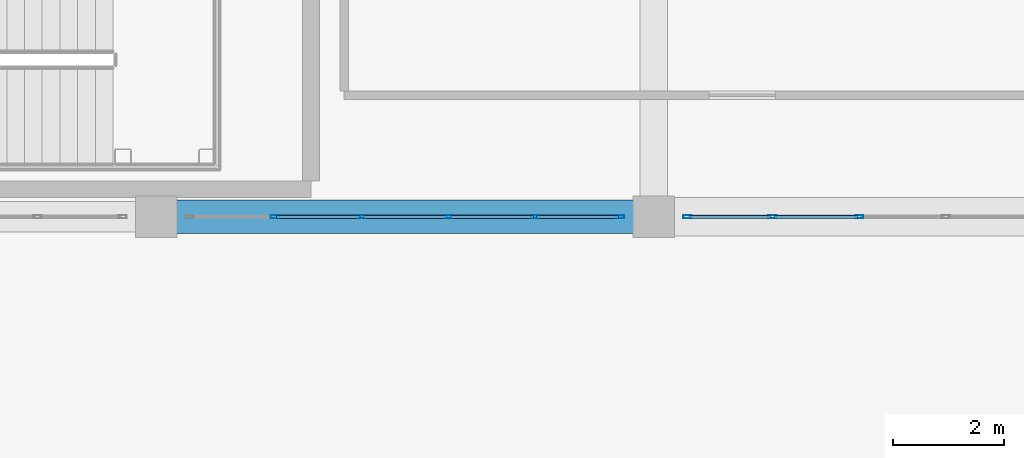
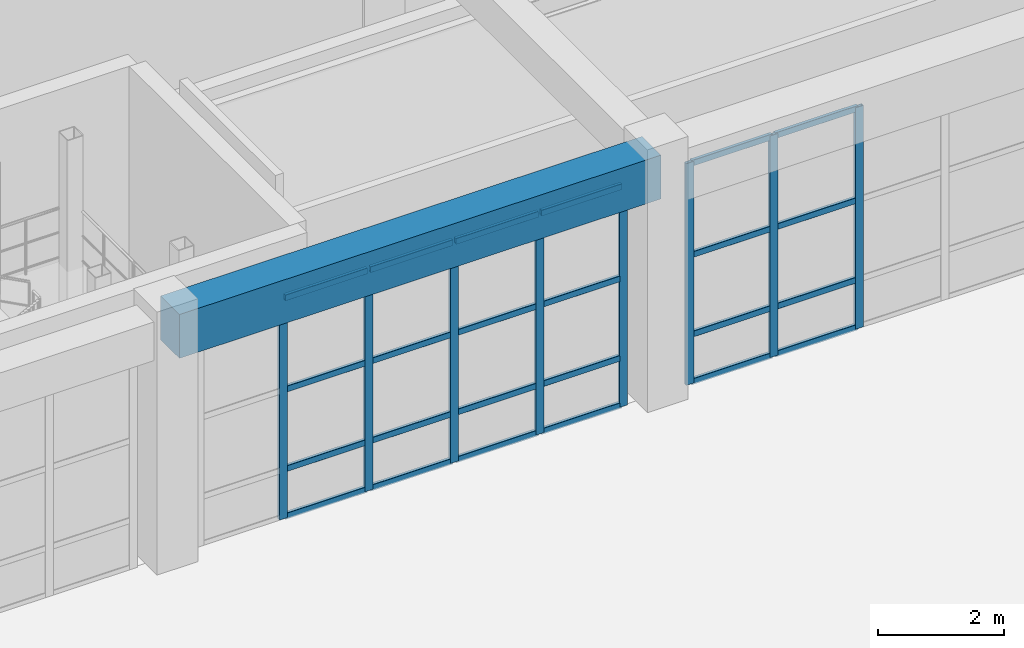
# One storey, part 81 of 128: 32 members, 1 beam, 2 elements without a shape of their own.
"""IFC4 building model written with IfcOpenShell, lengths in metres."""

from ifc_helpers import new_model, si_unit, direction, frame, origin, origin_2d, place, context, subcontext, project, spatial, rectangle, hollow_rectangle, extrude, material, material_profile, profile_set, type_object, element, aggregate, save


model = new_model("IFC4")

# Units and contexts
model_context = context("Model", 3, precision=1e-05, world=origin(), true_north=direction((0.0, 1.0)))
body_context = subcontext(model_context, "Body", "Model", "MODEL_VIEW")
ifc_project = project(units=[si_unit("LENGTHUNIT", "METRE"), si_unit("AREAUNIT", "SQUARE_METRE"), si_unit("VOLUMEUNIT", "CUBIC_METRE"), si_unit("PLANEANGLEUNIT", "RADIAN"), si_unit("MASSUNIT", "GRAM", prefix="KILO")], contexts=[model_context])

# Site, building, storey
site_placement = place(None, origin())
site = spatial("IfcSite", under=ifc_project, at=site_placement, CompositionType="ELEMENT")
building_placement = place(site_placement, origin())
building = spatial("IfcBuilding", under=site, at=building_placement, Name="Miravela Opera House", CompositionType="ELEMENT")
storey_placement = place(building_placement, origin())
storey = spatial("IfcBuildingStorey", under=building, at=storey_placement, Name="L00", CompositionType="ELEMENT", Elevation=0.0)

# Curtain wall, members
ifc_material_1 = material(Name="Anodised architectural bronze aluminium 6063-T6", Category="aluminium")
curtain_wall_type = type_object("IfcCurtainWallType", Name="ARC-CW-05", PredefinedType="NOTDEFINED", material=ifc_material_1)
curtain_wall_1_placement = place(storey_placement, origin())
curtain_wall_1 = element("IfcCurtainWall", 1, at=curtain_wall_1_placement, inside=storey, type_object=curtain_wall_type, Name="Courtyard Arcade Curtain Wall CW-L00-161", PredefinedType="NOTDEFINED")
ifc_material_profile_1 = material_profile(ifc_material_1, hollow_rectangle(XDim=0.06005859375, YDim=0.14990234375, WallThickness=0.00390625, InnerFilletRadius=0.001953125, OuterFilletRadius=0.00390625, at=origin_2d()), Name="CWM-60X150")
ifc_profile_set_1 = profile_set([ifc_material_profile_1])
member_type_1 = type_object("IfcMemberType", Name="ARC-CWM-150", PredefinedType="MULLION", material=ifc_profile_set_1)
member_1_placement = place(storey_placement, frame((128.14794921875, 103.0, 0.0), z_axis=(0.0, 0.0, 1.0), x_axis=(0.0, 1.0, 0.0)))
member_1 = element("IfcMember", 2, at=member_1_placement, type_object=member_type_1, Name="CW-05 mullion 2", PredefinedType="MULLION", context=body_context, shape_type="SweptSolid", body=[
    extrude(hollow_rectangle(XDim=0.06005859375, YDim=0.14990234375, WallThickness=0.00390625, InnerFilletRadius=0.001953125, OuterFilletRadius=0.00390625, at=origin_2d()), origin(), (0.0, 0.0, 1.0), 4.300048828125),
])
member_2_placement = place(storey_placement, frame((129.716064453125, 103.0, 0.0), z_axis=(0.0, 0.0, 1.0), x_axis=(0.0, 1.0, 0.0)))
member_2 = element("IfcMember", 3, at=member_2_placement, type_object=member_type_1, Name="CW-05 mullion 3", PredefinedType="MULLION", context=body_context, shape_type="SweptSolid", body=[
    extrude(hollow_rectangle(XDim=0.06005859375, YDim=0.14990234375, WallThickness=0.00390625, InnerFilletRadius=0.001953125, OuterFilletRadius=0.00390625, at=origin_2d()), origin(), (0.0, 0.0, 1.0), 4.300048828125),
])
member_3_placement = place(storey_placement, frame((131.283935546875, 103.0, 0.0), z_axis=(0.0, 0.0, 1.0), x_axis=(0.0, 1.0, 0.0)))
member_3 = element("IfcMember", 4, at=member_3_placement, type_object=member_type_1, Name="CW-05 mullion 4", PredefinedType="MULLION", context=body_context, shape_type="SweptSolid", body=[
    extrude(hollow_rectangle(XDim=0.06005859375, YDim=0.14990234375, WallThickness=0.00390625, InnerFilletRadius=0.001953125, OuterFilletRadius=0.00390625, at=origin_2d()), origin(), (0.0, 0.0, 1.0), 4.300048828125),
])
member_4_placement = place(storey_placement, frame((132.85205078125, 103.0, 0.0), z_axis=(0.0, 0.0, 1.0), x_axis=(0.0, 1.0, 0.0)))
member_4 = element("IfcMember", 5, at=member_4_placement, type_object=member_type_1, Name="CW-05 mullion 5", PredefinedType="MULLION", context=body_context, shape_type="SweptSolid", body=[
    extrude(hollow_rectangle(XDim=0.06005859375, YDim=0.14990234375, WallThickness=0.00390625, InnerFilletRadius=0.001953125, OuterFilletRadius=0.00390625, at=origin_2d()), origin(), (0.0, 0.0, 1.0), 4.300048828125),
])
member_5_placement = place(storey_placement, frame((134.389892578125, 103.0, 0.0), z_axis=(0.0, 0.0, 1.0), x_axis=(0.0, 1.0, 0.0)))
member_5 = element("IfcMember", 6, at=member_5_placement, type_object=member_type_1, Name="CW-05 mullion 6", PredefinedType="MULLION", context=body_context, shape_type="SweptSolid", body=[
    extrude(hollow_rectangle(XDim=0.06005859375, YDim=0.14990234375, WallThickness=0.00390625, InnerFilletRadius=0.001953125, OuterFilletRadius=0.00390625, at=origin_2d()), origin(), (0.0, 0.0, 1.0), 4.300048828125),
])

curtain_wall_2_placement = place(storey_placement, origin())
curtain_wall_2 = element("IfcCurtainWall", 7, at=curtain_wall_2_placement, inside=storey, type_object=curtain_wall_type, Name="Courtyard Arcade Curtain Wall CW-L00-165", PredefinedType="NOTDEFINED")
member_6_placement = place(storey_placement, frame((135.610107421875, 103.0, 0.0), z_axis=(0.0, 0.0, 1.0), x_axis=(0.0, 1.0, 0.0)))
member_6 = element("IfcMember", 8, at=member_6_placement, type_object=member_type_1, Name="CW-05 mullion 1", PredefinedType="MULLION", context=body_context, shape_type="SweptSolid", body=[
    extrude(hollow_rectangle(XDim=0.06005859375, YDim=0.14990234375, WallThickness=0.00390625, InnerFilletRadius=0.001953125, OuterFilletRadius=0.00390625, at=origin_2d()), origin(), (0.0, 0.0, 1.0), 4.300048828125),
])
member_7_placement = place(storey_placement, frame((137.14794921875, 103.0, 0.0), z_axis=(0.0, 0.0, 1.0), x_axis=(0.0, 1.0, 0.0)))
member_7 = element("IfcMember", 9, at=member_7_placement, type_object=member_type_1, Name="CW-05 mullion 2", PredefinedType="MULLION", context=body_context, shape_type="SweptSolid", body=[
    extrude(hollow_rectangle(XDim=0.06005859375, YDim=0.14990234375, WallThickness=0.00390625, InnerFilletRadius=0.001953125, OuterFilletRadius=0.00390625, at=origin_2d()), origin(), (0.0, 0.0, 1.0), 4.300048828125),
])
member_8_placement = place(storey_placement, frame((138.716064453125, 103.0, 0.0), z_axis=(0.0, 0.0, 1.0), x_axis=(0.0, 1.0, 0.0)))
member_8 = element("IfcMember", 10, at=member_8_placement, type_object=member_type_1, Name="CW-05 mullion 3", PredefinedType="MULLION", context=body_context, shape_type="SweptSolid", body=[
    extrude(hollow_rectangle(XDim=0.06005859375, YDim=0.14990234375, WallThickness=0.00390625, InnerFilletRadius=0.001953125, OuterFilletRadius=0.00390625, at=origin_2d()), origin(), (0.0, 0.0, 1.0), 4.300048828125),
])

# Member
ifc_material_profile_2 = material_profile(ifc_material_1, hollow_rectangle(XDim=0.06005859375, YDim=0.114990234375, WallThickness=0.00390625, InnerFilletRadius=0.001953125, OuterFilletRadius=0.00390625, at=origin_2d()), Name="CWT-60X115")
ifc_profile_set_2 = profile_set([ifc_material_profile_2])
member_type_2 = type_object("IfcMemberType", Name="ARC-CWT-115", PredefinedType="USERDEFINED", material=ifc_profile_set_2)
member_9_placement = place(storey_placement, frame((128.177978515625, 103.0, 0.030029296875), z_axis=(1.0, 0.0, 0.0), x_axis=(0.0, 1.0, 0.0)))
member_9 = element("IfcMember", 11, at=member_9_placement, type_object=member_type_2, Name="CW-05 transom 2.1", ObjectType="TRANSOM", PredefinedType="USERDEFINED", context=body_context, shape_type="SweptSolid", body=[
    extrude(hollow_rectangle(XDim=0.06005859375, YDim=0.114990234375, WallThickness=0.00390625, InnerFilletRadius=0.001953125, OuterFilletRadius=0.00390625, at=origin_2d()), origin(), (0.0, 0.0, 1.0), 1.508056640625),
])

member_10_placement = place(storey_placement, frame((128.177978515625, 103.0, 0.949951171875), z_axis=(1.0, 0.0, 0.0), x_axis=(0.0, 1.0, 0.0)))
member_10 = element("IfcMember", 12, at=member_10_placement, type_object=member_type_2, Name="CW-05 transom 2.2", ObjectType="TRANSOM", PredefinedType="USERDEFINED", context=body_context, shape_type="SweptSolid", body=[
    extrude(hollow_rectangle(XDim=0.06005859375, YDim=0.114990234375, WallThickness=0.00390625, InnerFilletRadius=0.001953125, OuterFilletRadius=0.00390625, at=origin_2d()), origin(), (0.0, 0.0, 1.0), 1.508056640625),
])

member_11_placement = place(storey_placement, frame((128.177978515625, 103.0, 2.493896484375), z_axis=(1.0, 0.0, 0.0), x_axis=(0.0, 1.0, 0.0)))
member_11 = element("IfcMember", 13, at=member_11_placement, type_object=member_type_2, Name="CW-05 transom 2.3", ObjectType="TRANSOM", PredefinedType="USERDEFINED", context=body_context, shape_type="SweptSolid", body=[
    extrude(hollow_rectangle(XDim=0.06005859375, YDim=0.114990234375, WallThickness=0.00390625, InnerFilletRadius=0.001953125, OuterFilletRadius=0.00390625, at=origin_2d()), origin(), (0.0, 0.0, 1.0), 1.508056640625),
])

member_12_placement = place(storey_placement, frame((128.177978515625, 103.0, 4.27001953125), z_axis=(1.0, 0.0, 0.0), x_axis=(0.0, 1.0, 0.0)))
member_12 = element("IfcMember", 14, at=member_12_placement, type_object=member_type_2, Name="CW-05 transom 2.4", ObjectType="TRANSOM", PredefinedType="USERDEFINED", context=body_context, shape_type="SweptSolid", body=[
    extrude(hollow_rectangle(XDim=0.06005859375, YDim=0.114990234375, WallThickness=0.00390625, InnerFilletRadius=0.001953125, OuterFilletRadius=0.00390625, at=origin_2d()), origin(), (0.0, 0.0, 1.0), 1.508056640625),
])

member_13_placement = place(storey_placement, frame((129.74609375, 103.0, 0.030029296875), z_axis=(1.0, 0.0, 0.0), x_axis=(0.0, 1.0, 0.0)))
member_13 = element("IfcMember", 15, at=member_13_placement, type_object=member_type_2, Name="CW-05 transom 3.1", ObjectType="TRANSOM", PredefinedType="USERDEFINED", context=body_context, shape_type="SweptSolid", body=[
    extrude(hollow_rectangle(XDim=0.06005859375, YDim=0.114990234375, WallThickness=0.00390625, InnerFilletRadius=0.001953125, OuterFilletRadius=0.00390625, at=origin_2d()), origin(), (0.0, 0.0, 1.0), 1.5078125),
])

member_14_placement = place(storey_placement, frame((129.74609375, 103.0, 0.949951171875), z_axis=(1.0, 0.0, 0.0), x_axis=(0.0, 1.0, 0.0)))
member_14 = element("IfcMember", 16, at=member_14_placement, type_object=member_type_2, Name="CW-05 transom 3.2", ObjectType="TRANSOM", PredefinedType="USERDEFINED", context=body_context, shape_type="SweptSolid", body=[
    extrude(hollow_rectangle(XDim=0.06005859375, YDim=0.114990234375, WallThickness=0.00390625, InnerFilletRadius=0.001953125, OuterFilletRadius=0.00390625, at=origin_2d()), origin(), (0.0, 0.0, 1.0), 1.5078125),
])

member_15_placement = place(storey_placement, frame((129.74609375, 103.0, 2.493896484375), z_axis=(1.0, 0.0, 0.0), x_axis=(0.0, 1.0, 0.0)))
member_15 = element("IfcMember", 17, at=member_15_placement, type_object=member_type_2, Name="CW-05 transom 3.3", ObjectType="TRANSOM", PredefinedType="USERDEFINED", context=body_context, shape_type="SweptSolid", body=[
    extrude(hollow_rectangle(XDim=0.06005859375, YDim=0.114990234375, WallThickness=0.00390625, InnerFilletRadius=0.001953125, OuterFilletRadius=0.00390625, at=origin_2d()), origin(), (0.0, 0.0, 1.0), 1.5078125),
])

member_16_placement = place(storey_placement, frame((129.74609375, 103.0, 4.27001953125), z_axis=(1.0, 0.0, 0.0), x_axis=(0.0, 1.0, 0.0)))
member_16 = element("IfcMember", 18, at=member_16_placement, type_object=member_type_2, Name="CW-05 transom 3.4", ObjectType="TRANSOM", PredefinedType="USERDEFINED", context=body_context, shape_type="SweptSolid", body=[
    extrude(hollow_rectangle(XDim=0.06005859375, YDim=0.114990234375, WallThickness=0.00390625, InnerFilletRadius=0.001953125, OuterFilletRadius=0.00390625, at=origin_2d()), origin(), (0.0, 0.0, 1.0), 1.5078125),
])

member_17_placement = place(storey_placement, frame((131.31396484375, 103.0, 0.030029296875), z_axis=(1.0, 0.0, 0.0), x_axis=(0.0, 1.0, 0.0)))
member_17 = element("IfcMember", 19, at=member_17_placement, type_object=member_type_2, Name="CW-05 transom 4.1", ObjectType="TRANSOM", PredefinedType="USERDEFINED", context=body_context, shape_type="SweptSolid", body=[
    extrude(hollow_rectangle(XDim=0.06005859375, YDim=0.114990234375, WallThickness=0.00390625, InnerFilletRadius=0.001953125, OuterFilletRadius=0.00390625, at=origin_2d()), origin(), (0.0, 0.0, 1.0), 1.508056640625),
])

member_18_placement = place(storey_placement, frame((131.31396484375, 103.0, 0.949951171875), z_axis=(1.0, 0.0, 0.0), x_axis=(0.0, 1.0, 0.0)))
member_18 = element("IfcMember", 20, at=member_18_placement, type_object=member_type_2, Name="CW-05 transom 4.2", ObjectType="TRANSOM", PredefinedType="USERDEFINED", context=body_context, shape_type="SweptSolid", body=[
    extrude(hollow_rectangle(XDim=0.06005859375, YDim=0.114990234375, WallThickness=0.00390625, InnerFilletRadius=0.001953125, OuterFilletRadius=0.00390625, at=origin_2d()), origin(), (0.0, 0.0, 1.0), 1.508056640625),
])

member_19_placement = place(storey_placement, frame((131.31396484375, 103.0, 2.493896484375), z_axis=(1.0, 0.0, 0.0), x_axis=(0.0, 1.0, 0.0)))
member_19 = element("IfcMember", 21, at=member_19_placement, type_object=member_type_2, Name="CW-05 transom 4.3", ObjectType="TRANSOM", PredefinedType="USERDEFINED", context=body_context, shape_type="SweptSolid", body=[
    extrude(hollow_rectangle(XDim=0.06005859375, YDim=0.114990234375, WallThickness=0.00390625, InnerFilletRadius=0.001953125, OuterFilletRadius=0.00390625, at=origin_2d()), origin(), (0.0, 0.0, 1.0), 1.508056640625),
])

member_20_placement = place(storey_placement, frame((131.31396484375, 103.0, 4.27001953125), z_axis=(1.0, 0.0, 0.0), x_axis=(0.0, 1.0, 0.0)))
member_20 = element("IfcMember", 22, at=member_20_placement, type_object=member_type_2, Name="CW-05 transom 4.4", ObjectType="TRANSOM", PredefinedType="USERDEFINED", context=body_context, shape_type="SweptSolid", body=[
    extrude(hollow_rectangle(XDim=0.06005859375, YDim=0.114990234375, WallThickness=0.00390625, InnerFilletRadius=0.001953125, OuterFilletRadius=0.00390625, at=origin_2d()), origin(), (0.0, 0.0, 1.0), 1.508056640625),
])

member_21_placement = place(storey_placement, frame((132.882080078125, 103.0, 0.030029296875), z_axis=(1.0, 0.0, 0.0), x_axis=(0.0, 1.0, 0.0)))
member_21 = element("IfcMember", 23, at=member_21_placement, type_object=member_type_2, Name="CW-05 transom 5.1", ObjectType="TRANSOM", PredefinedType="USERDEFINED", context=body_context, shape_type="SweptSolid", body=[
    extrude(hollow_rectangle(XDim=0.06005859375, YDim=0.114990234375, WallThickness=0.00390625, InnerFilletRadius=0.001953125, OuterFilletRadius=0.00390625, at=origin_2d()), origin(), (0.0, 0.0, 1.0), 1.47802734375),
])

member_22_placement = place(storey_placement, frame((132.882080078125, 103.0, 0.949951171875), z_axis=(1.0, 0.0, 0.0), x_axis=(0.0, 1.0, 0.0)))
member_22 = element("IfcMember", 24, at=member_22_placement, type_object=member_type_2, Name="CW-05 transom 5.2", ObjectType="TRANSOM", PredefinedType="USERDEFINED", context=body_context, shape_type="SweptSolid", body=[
    extrude(hollow_rectangle(XDim=0.06005859375, YDim=0.114990234375, WallThickness=0.00390625, InnerFilletRadius=0.001953125, OuterFilletRadius=0.00390625, at=origin_2d()), origin(), (0.0, 0.0, 1.0), 1.47802734375),
])

member_23_placement = place(storey_placement, frame((132.882080078125, 103.0, 2.493896484375), z_axis=(1.0, 0.0, 0.0), x_axis=(0.0, 1.0, 0.0)))
member_23 = element("IfcMember", 25, at=member_23_placement, type_object=member_type_2, Name="CW-05 transom 5.3", ObjectType="TRANSOM", PredefinedType="USERDEFINED", context=body_context, shape_type="SweptSolid", body=[
    extrude(hollow_rectangle(XDim=0.06005859375, YDim=0.114990234375, WallThickness=0.00390625, InnerFilletRadius=0.001953125, OuterFilletRadius=0.00390625, at=origin_2d()), origin(), (0.0, 0.0, 1.0), 1.47802734375),
])

member_24_placement = place(storey_placement, frame((132.882080078125, 103.0, 4.27001953125), z_axis=(1.0, 0.0, 0.0), x_axis=(0.0, 1.0, 0.0)))
member_24 = element("IfcMember", 26, at=member_24_placement, type_object=member_type_2, Name="CW-05 transom 5.4", ObjectType="TRANSOM", PredefinedType="USERDEFINED", context=body_context, shape_type="SweptSolid", body=[
    extrude(hollow_rectangle(XDim=0.06005859375, YDim=0.114990234375, WallThickness=0.00390625, InnerFilletRadius=0.001953125, OuterFilletRadius=0.00390625, at=origin_2d()), origin(), (0.0, 0.0, 1.0), 1.47802734375),
])

aggregate(curtain_wall_1, [member_1, member_2, member_3, member_4, member_5, member_9, member_10, member_11, member_12, member_13, member_14, member_15, member_16, member_17, member_18, member_19, member_20, member_21, member_22, member_23, member_24])

member_25_placement = place(storey_placement, frame((135.639892578125, 103.0, 0.030029296875), z_axis=(1.0, 0.0, 0.0), x_axis=(0.0, 1.0, 0.0)))
member_25 = element("IfcMember", 27, at=member_25_placement, type_object=member_type_2, Name="CW-05 transom 1.1", ObjectType="TRANSOM", PredefinedType="USERDEFINED", context=body_context, shape_type="SweptSolid", body=[
    extrude(hollow_rectangle(XDim=0.06005859375, YDim=0.114990234375, WallThickness=0.00390625, InnerFilletRadius=0.001953125, OuterFilletRadius=0.00390625, at=origin_2d()), origin(), (0.0, 0.0, 1.0), 1.47802734375),
])

member_26_placement = place(storey_placement, frame((135.639892578125, 103.0, 0.949951171875), z_axis=(1.0, 0.0, 0.0), x_axis=(0.0, 1.0, 0.0)))
member_26 = element("IfcMember", 28, at=member_26_placement, type_object=member_type_2, Name="CW-05 transom 1.2", ObjectType="TRANSOM", PredefinedType="USERDEFINED", context=body_context, shape_type="SweptSolid", body=[
    extrude(hollow_rectangle(XDim=0.06005859375, YDim=0.114990234375, WallThickness=0.00390625, InnerFilletRadius=0.001953125, OuterFilletRadius=0.00390625, at=origin_2d()), origin(), (0.0, 0.0, 1.0), 1.47802734375),
])

member_27_placement = place(storey_placement, frame((135.639892578125, 103.0, 2.493896484375), z_axis=(1.0, 0.0, 0.0), x_axis=(0.0, 1.0, 0.0)))
member_27 = element("IfcMember", 29, at=member_27_placement, type_object=member_type_2, Name="CW-05 transom 1.3", ObjectType="TRANSOM", PredefinedType="USERDEFINED", context=body_context, shape_type="SweptSolid", body=[
    extrude(hollow_rectangle(XDim=0.06005859375, YDim=0.114990234375, WallThickness=0.00390625, InnerFilletRadius=0.001953125, OuterFilletRadius=0.00390625, at=origin_2d()), origin(), (0.0, 0.0, 1.0), 1.47802734375),
])

member_28_placement = place(storey_placement, frame((135.639892578125, 103.0, 4.27001953125), z_axis=(1.0, 0.0, 0.0), x_axis=(0.0, 1.0, 0.0)))
member_28 = element("IfcMember", 30, at=member_28_placement, type_object=member_type_2, Name="CW-05 transom 1.4", ObjectType="TRANSOM", PredefinedType="USERDEFINED", context=body_context, shape_type="SweptSolid", body=[
    extrude(hollow_rectangle(XDim=0.06005859375, YDim=0.114990234375, WallThickness=0.00390625, InnerFilletRadius=0.001953125, OuterFilletRadius=0.00390625, at=origin_2d()), origin(), (0.0, 0.0, 1.0), 1.47802734375),
])

member_29_placement = place(storey_placement, frame((137.177978515625, 103.0, 0.030029296875), z_axis=(1.0, 0.0, 0.0), x_axis=(0.0, 1.0, 0.0)))
member_29 = element("IfcMember", 31, at=member_29_placement, type_object=member_type_2, Name="CW-05 transom 2.1", ObjectType="TRANSOM", PredefinedType="USERDEFINED", context=body_context, shape_type="SweptSolid", body=[
    extrude(hollow_rectangle(XDim=0.06005859375, YDim=0.114990234375, WallThickness=0.00390625, InnerFilletRadius=0.001953125, OuterFilletRadius=0.00390625, at=origin_2d()), origin(), (0.0, 0.0, 1.0), 1.508056640625),
])

member_30_placement = place(storey_placement, frame((137.177978515625, 103.0, 0.949951171875), z_axis=(1.0, 0.0, 0.0), x_axis=(0.0, 1.0, 0.0)))
member_30 = element("IfcMember", 32, at=member_30_placement, type_object=member_type_2, Name="CW-05 transom 2.2", ObjectType="TRANSOM", PredefinedType="USERDEFINED", context=body_context, shape_type="SweptSolid", body=[
    extrude(hollow_rectangle(XDim=0.06005859375, YDim=0.114990234375, WallThickness=0.00390625, InnerFilletRadius=0.001953125, OuterFilletRadius=0.00390625, at=origin_2d()), origin(), (0.0, 0.0, 1.0), 1.508056640625),
])

member_31_placement = place(storey_placement, frame((137.177978515625, 103.0, 2.493896484375), z_axis=(1.0, 0.0, 0.0), x_axis=(0.0, 1.0, 0.0)))
member_31 = element("IfcMember", 33, at=member_31_placement, type_object=member_type_2, Name="CW-05 transom 2.3", ObjectType="TRANSOM", PredefinedType="USERDEFINED", context=body_context, shape_type="SweptSolid", body=[
    extrude(hollow_rectangle(XDim=0.06005859375, YDim=0.114990234375, WallThickness=0.00390625, InnerFilletRadius=0.001953125, OuterFilletRadius=0.00390625, at=origin_2d()), origin(), (0.0, 0.0, 1.0), 1.508056640625),
])

member_32_placement = place(storey_placement, frame((137.177978515625, 103.0, 4.27001953125), z_axis=(1.0, 0.0, 0.0), x_axis=(0.0, 1.0, 0.0)))
member_32 = element("IfcMember", 34, at=member_32_placement, type_object=member_type_2, Name="CW-05 transom 2.4", ObjectType="TRANSOM", PredefinedType="USERDEFINED", context=body_context, shape_type="SweptSolid", body=[
    extrude(hollow_rectangle(XDim=0.06005859375, YDim=0.114990234375, WallThickness=0.00390625, InnerFilletRadius=0.001953125, OuterFilletRadius=0.00390625, at=origin_2d()), origin(), (0.0, 0.0, 1.0), 1.508056640625),
])

aggregate(curtain_wall_2, [member_6, member_7, member_8, member_25, member_26, member_27, member_28, member_29, member_30, member_31, member_32])

# Beam
ifc_material_2 = material(Name="Concrete C40/50", Category="concrete")
ifc_material_profile_3 = material_profile(ifc_material_2, rectangle(XDim=0.60009765625, YDim=0.85009765625, at=origin_2d()), Name="RC-BM-600X850")
ifc_profile_set_3 = profile_set([ifc_material_profile_3])
beam_type = type_object("IfcBeamType", Name="STR-BM-RC600X850", PredefinedType="BEAM", material=ifc_profile_set_3)
beam_placement = place(storey_placement, frame((126.080078125, 103.0, 4.425048828125), z_axis=(1.0, 0.0, 0.0), x_axis=(0.0, 1.0, 0.0)))
element("IfcBeam", 35, at=beam_placement, inside=storey, type_object=beam_type, Name="Floor Girder L00 15-16/L", PredefinedType="BEAM", context=body_context, shape_type="SweptSolid", body=[
    extrude(rectangle(XDim=0.60009765625, YDim=0.85009765625, at=origin_2d()), origin(), (0.0, 0.0, 1.0), 8.83984375),
])

save(model, "model.ifc")
